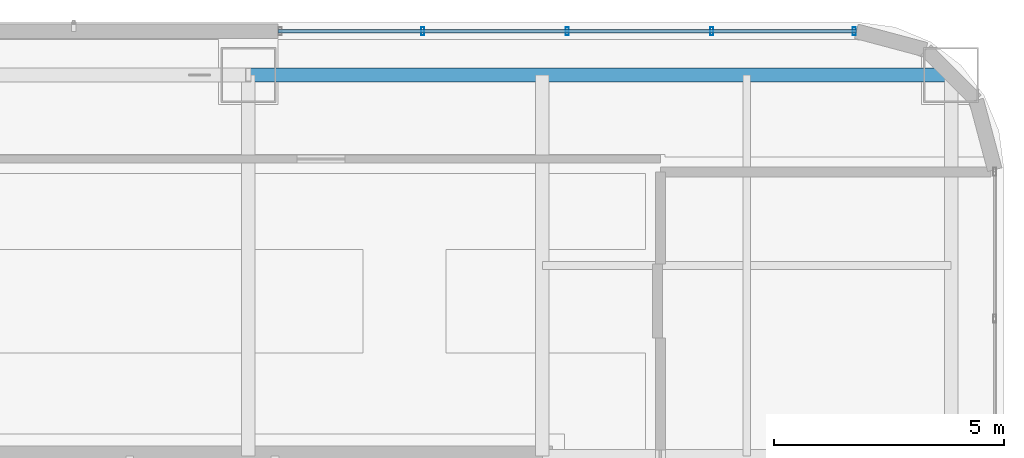
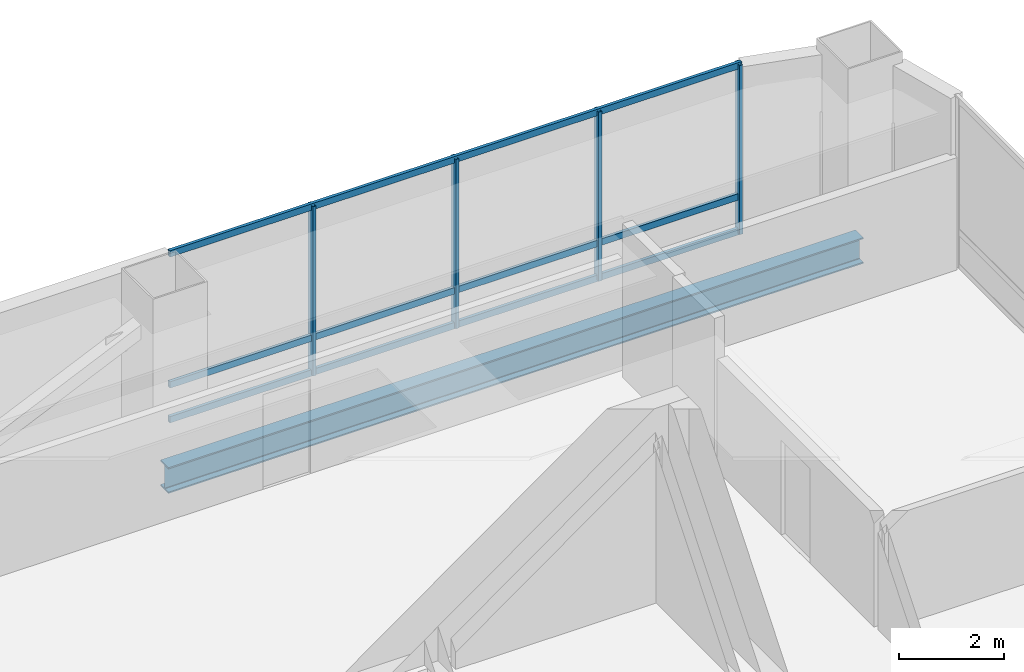
# One storey, part 31 of 46: 7 members, 1 beam, 1 element without a shape of its own.
"""IFC4 building model written with IfcOpenShell, lengths in metres."""

from ifc_helpers import new_model, si_unit, direction, frame, origin, origin_2d, place, context, subcontext, project, spatial, hollow_rectangle, i_section, extrude, material, material_profile, profile_set, type_object, element, aggregate, save


model = new_model("IFC4")

# Units and contexts
model_context = context("Model", 3, precision=1e-05, world=origin(), true_north=direction((0.0, 1.0)))
body_context = subcontext(model_context, "Body", "Model", "MODEL_VIEW")
ifc_project = project(units=[si_unit("LENGTHUNIT", "METRE"), si_unit("AREAUNIT", "SQUARE_METRE"), si_unit("VOLUMEUNIT", "CUBIC_METRE"), si_unit("PLANEANGLEUNIT", "RADIAN"), si_unit("MASSUNIT", "GRAM", prefix="KILO")], contexts=[model_context])

# Site, building, storey
site_placement = place(None, origin())
site = spatial("IfcSite", under=ifc_project, at=site_placement, CompositionType="ELEMENT")
building_placement = place(site_placement, origin())
building = spatial("IfcBuilding", under=site, at=building_placement, Name="Punatoya Terracotta Tower", CompositionType="ELEMENT")
storey_placement = place(building_placement, frame((0.0, 0.0, 330.0)))
storey = spatial("IfcBuildingStorey", under=building, at=storey_placement, Name="L78", CompositionType="ELEMENT", Elevation=330.0)

# Beam
ifc_material_1 = material(Name="Steel S355", Category="steel")
ifc_material_profile_1 = material_profile(ifc_material_1, i_section(OverallWidth=0.300048828125, OverallDepth=0.60009765625, WebThickness=0.015380859375, FlangeThickness=0.030029296875, FilletRadius=0.01806640625, at=origin_2d()))
ifc_profile_set_1 = profile_set([ifc_material_profile_1], Name="Steel S355")
beam_type = type_object("IfcBeamType", Name="BM-PRI-600", PredefinedType="BEAM", material=ifc_profile_set_1)
beam_placement = place(storey_placement, frame((3.800048828125, 17.5, -0.5), z_axis=(1.0, 0.0, 0.0), x_axis=(0.0, 1.0, 0.0)))
element("IfcBeam", 1, at=beam_placement, inside=storey, type_object=beam_type, Name="BM-L78-RG-N3", PredefinedType="BEAM", context=body_context, shape_type="SweptSolid", body=[
    extrude(i_section(OverallWidth=0.300048828125, OverallDepth=0.60009765625, WebThickness=0.015380859375, FlangeThickness=0.030029296875, FilletRadius=0.01806640625, at=origin_2d()), origin(), (0.0, 0.0, 1.0), 15.300048828125),
])

# Curtain wall, members
ifc_material_2 = material(Name="Aluminium 6063-T6 + Double Low-E Glass", Category="aluminium")
curtain_wall_type = type_object("IfcCurtainWallType", Name="CW-OBS", PredefinedType="NOTDEFINED", material=ifc_material_2)
curtain_wall_placement = place(storey_placement, origin())
curtain_wall = element("IfcCurtainWall", 2, at=curtain_wall_placement, inside=storey, type_object=curtain_wall_type, Name="L78 Curtain Wall CW-L78-N09-1", PredefinedType="NOTDEFINED")
ifc_material_3 = material(Name="Aluminium 6063-T6", Category="aluminium")
ifc_material_profile_2 = material_profile(ifc_material_3, hollow_rectangle(XDim=0.070068359375, YDim=0.179931640625, WallThickness=0.00390625, at=origin_2d()))
ifc_profile_set_2 = profile_set([ifc_material_profile_2], Name="Aluminium 6063-T6")
member_type_1 = type_object("IfcMemberType", Name="CW-MUL-M3", PredefinedType="MULLION", material=ifc_profile_set_2)
member_1_placement = place(storey_placement, frame((16.991943359375, 18.449951171875, 0.0), z_axis=(0.0, 0.0, 1.0), x_axis=(1.0, 0.0, 0.0)))
member_1 = element("IfcMember", 3, at=member_1_placement, type_object=member_type_1, Name="CW-L78-N09-1 Mullion 00", PredefinedType="MULLION", context=body_context, shape_type="SweptSolid", body=[
    extrude(hollow_rectangle(XDim=0.070068359375, YDim=0.179931640625, WallThickness=0.00390625, at=origin_2d()), origin(), (0.0, 0.0, 1.0), 3.93994140625),
])
member_2_placement = place(storey_placement, frame((13.89013671875, 18.449951171875, 0.0), z_axis=(0.0, 0.0, 1.0), x_axis=(1.0, 0.0, 0.0)))
member_2 = element("IfcMember", 4, at=member_2_placement, type_object=member_type_1, Name="CW-L78-N09-1 Mullion 01", PredefinedType="MULLION", context=body_context, shape_type="SweptSolid", body=[
    extrude(hollow_rectangle(XDim=0.070068359375, YDim=0.179931640625, WallThickness=0.00390625, at=origin_2d()), origin(), (0.0, 0.0, 1.0), 3.93994140625),
])
member_3_placement = place(storey_placement, frame((10.743408203125, 18.449951171875, 0.0), z_axis=(0.0, 0.0, 1.0), x_axis=(1.0, 0.0, 0.0)))
member_3 = element("IfcMember", 5, at=member_3_placement, type_object=member_type_1, Name="CW-L78-N09-1 Mullion 02", PredefinedType="MULLION", context=body_context, shape_type="SweptSolid", body=[
    extrude(hollow_rectangle(XDim=0.070068359375, YDim=0.179931640625, WallThickness=0.00390625, at=origin_2d()), origin(), (0.0, 0.0, 1.0), 3.93994140625),
])
member_4_placement = place(storey_placement, frame((7.5966796875, 18.449951171875, 0.0), z_axis=(0.0, 0.0, 1.0), x_axis=(1.0, 0.0, 0.0)))
member_4 = element("IfcMember", 6, at=member_4_placement, type_object=member_type_1, Name="CW-L78-N09-1 Mullion 03", PredefinedType="MULLION", context=body_context, shape_type="SweptSolid", body=[
    extrude(hollow_rectangle(XDim=0.070068359375, YDim=0.179931640625, WallThickness=0.00390625, at=origin_2d()), origin(), (0.0, 0.0, 1.0), 3.93994140625),
])
ifc_material_profile_3 = material_profile(ifc_material_3, hollow_rectangle(XDim=0.068115234375, YDim=0.14990234375, WallThickness=0.00390625, at=origin_2d()))
ifc_profile_set_3 = profile_set([ifc_material_profile_3], Name="Aluminium 6063-T6")
member_type_2 = type_object("IfcMemberType", Name="CW-TRN-TYP", PredefinedType="USERDEFINED", material=ifc_profile_set_3)
member_5_placement = place(storey_placement, frame((17.036865234375, 18.449951171875, 0.0400390625), z_axis=(-1.0, 0.0, 0.0), x_axis=(0.0, -1.0, 0.0)))
member_5 = element("IfcMember", 7, at=member_5_placement, type_object=member_type_2, Name="CW-L78-N09-1 Transom 1", ObjectType="TRANSOM", PredefinedType="USERDEFINED", context=body_context, shape_type="SweptSolid", body=[
    extrude(hollow_rectangle(XDim=0.068115234375, YDim=0.14990234375, WallThickness=0.00390625, at=origin_2d()), origin(), (0.0, 0.0, 1.0), 12.5869140625),
])
member_6_placement = place(storey_placement, frame((17.036865234375, 18.449951171875, 0.85009765625), z_axis=(-1.0, 0.0, 0.0), x_axis=(0.0, -1.0, 0.0)))
member_6 = element("IfcMember", 8, at=member_6_placement, type_object=member_type_2, Name="CW-L78-N09-1 Transom 2", ObjectType="TRANSOM", PredefinedType="USERDEFINED", context=body_context, shape_type="SweptSolid", body=[
    extrude(hollow_rectangle(XDim=0.068115234375, YDim=0.14990234375, WallThickness=0.00390625, at=origin_2d()), origin(), (0.0, 0.0, 1.0), 12.5869140625),
])
member_7_placement = place(storey_placement, frame((17.036865234375, 18.449951171875, 3.89990234375), z_axis=(-1.0, 0.0, 0.0), x_axis=(0.0, -1.0, 0.0)))
member_7 = element("IfcMember", 9, at=member_7_placement, type_object=member_type_2, Name="CW-L78-N09-1 Transom 3", ObjectType="TRANSOM", PredefinedType="USERDEFINED", context=body_context, shape_type="SweptSolid", body=[
    extrude(hollow_rectangle(XDim=0.068115234375, YDim=0.14990234375, WallThickness=0.00390625, at=origin_2d()), origin(), (0.0, 0.0, 1.0), 12.5869140625),
])
aggregate(curtain_wall, [member_1, member_2, member_3, member_4, member_5, member_6, member_7])

save(model, "model.ifc")
